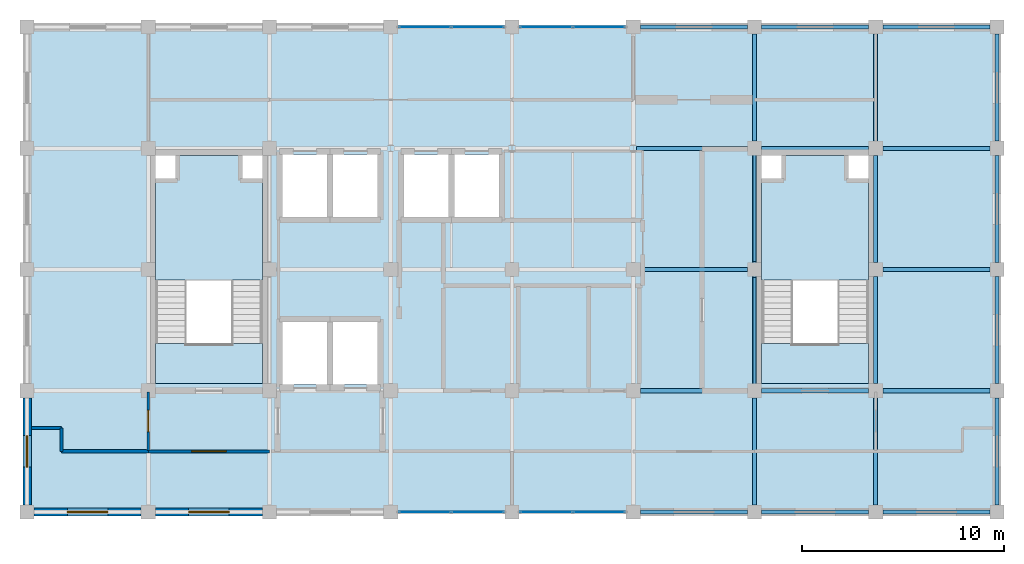
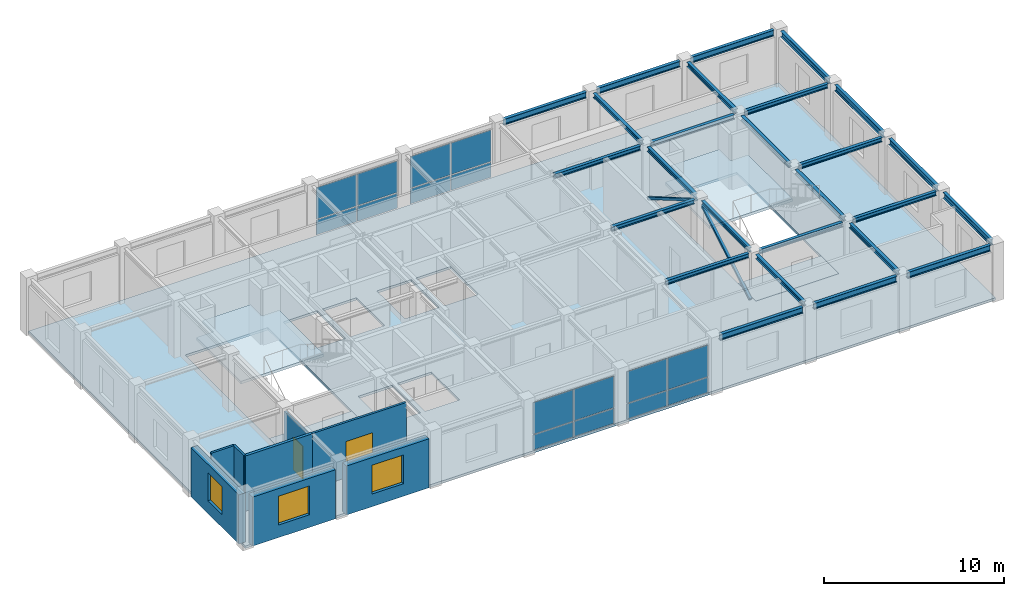
# One storey, part 7 of 11: 26 beams, 16 plates, 8 walls, 5 slabs, 3 windows, 2 doors, 2 members, 5 openings, 6 elements without a shape of their own.
"""IFC4 building model written with IfcOpenShell, lengths in metres."""

from ifc_helpers import new_model, si_unit, direction, frame, frame_2d, origin, origin_2d, place, context, subcontext, project, spatial, polyline, rectangle, hollow_rectangle, i_section, outline, extrude, material, layer, layer_set, material_profile, profile_set, type_object, element, fill, aggregate, save


model = new_model("IFC4")

# Units and contexts
model_context = context("Model", 3, precision=1e-05, world=origin(), true_north=direction((0.0, 1.0)))
body_context = subcontext(model_context, "Body", "Model", "MODEL_VIEW")
ifc_project = project(units=[si_unit("LENGTHUNIT", "METRE"), si_unit("AREAUNIT", "SQUARE_METRE"), si_unit("VOLUMEUNIT", "CUBIC_METRE"), si_unit("PLANEANGLEUNIT", "RADIAN"), si_unit("MASSUNIT", "GRAM", prefix="KILO")], contexts=[model_context])

# Site, building, storey
site_placement = place(None, origin())
site = spatial("IfcSite", under=ifc_project, at=site_placement, CompositionType="ELEMENT")
building_placement = place(site_placement, origin())
building = spatial("IfcBuilding", under=site, at=building_placement, Name="Zlatovratsky Civic Hall", CompositionType="ELEMENT")
storey_placement = place(building_placement, frame((0.0, 0.0, 56.10009765625)))
storey = spatial("IfcBuildingStorey", under=building, at=storey_placement, Name="L14", CompositionType="ELEMENT", Elevation=56.10009765625)

# Beams
ifc_material_1 = material(Name="Steel S355", Category="steel")
ifc_material_profile_1 = material_profile(ifc_material_1, i_section(OverallWidth=0.199951171875, OverallDepth=0.39990234375, WebThickness=0.008056640625, FlangeThickness=0.012939453125, FilletRadius=0.014892578125, at=origin_2d()), Name="40B2")
ifc_profile_set_1 = profile_set([ifc_material_profile_1], Name="Steel S355")
beam_type_1 = type_object("IfcBeamType", Name="Beam_Spandrel_40B2", PredefinedType="SPANDREL", material=ifc_profile_set_1)
for number, where, z_axis, x_axis, name in (
    (1, (90.35009765625, 78.0, 3.539794921875), (1.0, 0.0, 0.0), (0.0, 1.0, 0.0), "BM-4970"),
    (2, (96.35009765625, 78.0, 3.539794921875), (1.0, 0.0, 0.0), (0.0, 1.0, 0.0), "BM-4971"),
    (3, (102.35009765625, 78.0, 3.539794921875), (1.0, 0.0, 0.0), (0.0, 1.0, 0.0), "BM-4972"),
    (4, (90.35009765625, 102.0, 3.539794921875), (1.0, 0.0, 0.0), (0.0, 1.0, 0.0), "BM-5000"),
    (5, (96.35009765625, 102.0, 3.539794921875), (1.0, 0.0, 0.0), (0.0, 1.0, 0.0), "BM-5001"),
    (6, (102.35009765625, 102.0, 3.539794921875), (1.0, 0.0, 0.0), (0.0, 1.0, 0.0), "BM-5002"),
    (7, (108.0, 78.35009765625, 3.539794921875), (0.0, 1.0, 0.0), (-1.0, 0.0, 0.0), "BM-5035"),
    (8, (108.0, 84.35009765625, 3.539794921875), (0.0, 1.0, 0.0), (-1.0, 0.0, 0.0), "BM-5036"),
    (9, (108.0, 90.35009765625, 3.539794921875), (0.0, 1.0, 0.0), (-1.0, 0.0, 0.0), "BM-5037"),
    (10, (108.0, 96.35009765625, 3.539794921875), (0.0, 1.0, 0.0), (-1.0, 0.0, 0.0), "BM-5038"),
):
    element("IfcBeam", number, at=place(storey_placement, frame(where, z_axis=z_axis, x_axis=x_axis)), inside=storey, type_object=beam_type_1, Name=name, PredefinedType="SPANDREL", context=body_context, shape_type="SweptSolid", body=[
        extrude(i_section(OverallWidth=0.199951171875, OverallDepth=0.39990234375, WebThickness=0.008056640625, FlangeThickness=0.012939453125, FilletRadius=0.014892578125, at=origin_2d()), origin(), (0.0, 0.0, 1.0), 5.2998046875),
    ])
ifc_material_profile_2 = material_profile(ifc_material_1, i_section(OverallWidth=0.199951171875, OverallDepth=0.291015625, WebThickness=0.008056640625, FlangeThickness=0.010986328125, FilletRadius=0.01806640625, at=origin_2d()), Name="30Sh1")
ifc_profile_set_2 = profile_set([ifc_material_profile_2], Name="Steel S355")
beam_type_2 = type_object("IfcBeamType", Name="Beam_TowerHigh_30Sh1", PredefinedType="BEAM", material=ifc_profile_set_2)
for number, where, z_axis, x_axis, name in (
    (11, (90.35009765625, 84.0, 3.594482421875), (1.0, 0.0, 0.0), (0.0, 1.0, 0.0), "BM-4978"),
    (12, (96.35009765625, 84.0, 3.594482421875), (1.0, 0.0, 0.0), (0.0, 1.0, 0.0), "BM-4979"),
    (13, (102.35009765625, 84.0, 3.594482421875), (1.0, 0.0, 0.0), (0.0, 1.0, 0.0), "BM-4980"),
    (14, (90.35009765625, 90.0, 3.594482421875), (1.0, 0.0, 0.0), (0.0, 1.0, 0.0), "BM-4985"),
    (15, (102.35009765625, 90.0, 3.594482421875), (1.0, 0.0, 0.0), (0.0, 1.0, 0.0), "BM-4986"),
):
    element("IfcBeam", number, at=place(storey_placement, frame(where, z_axis=z_axis, x_axis=x_axis)), inside=storey, type_object=beam_type_2, Name=name, PredefinedType="BEAM", context=body_context, shape_type="SweptSolid", body=[
        extrude(i_section(OverallWidth=0.199951171875, OverallDepth=0.291015625, WebThickness=0.008056640625, FlangeThickness=0.010986328125, FilletRadius=0.01806640625, at=origin_2d()), origin(), (0.0, 0.0, 1.0), 5.2998046875),
    ])
beam_placement = place(storey_placement, frame((90.14990234375, 96.0, 3.594482421875), z_axis=(1.0, 0.0, 0.0), x_axis=(0.0, 1.0, 0.0)))
element("IfcBeam", 16, at=beam_placement, inside=storey, type_object=beam_type_2, Name="BM-4992", PredefinedType="BEAM", context=body_context, shape_type="SweptSolid", body=[
    extrude(i_section(OverallWidth=0.199951171875, OverallDepth=0.291015625, WebThickness=0.008056640625, FlangeThickness=0.010986328125, FilletRadius=0.01806640625, at=origin_2d()), origin(), (0.0, 0.0, 1.0), 5.5),
])
for number, where, z_axis, x_axis, name in (
    (17, (96.35009765625, 96.0, 3.594482421875), (1.0, 0.0, 0.0), (0.0, 1.0, 0.0), "BM-4993"),
    (18, (102.35009765625, 96.0, 3.594482421875), (1.0, 0.0, 0.0), (0.0, 1.0, 0.0), "BM-4994"),
    (19, (96.0, 78.35009765625, 3.594482421875), (0.0, 1.0, 0.0), (-1.0, 0.0, 0.0), "BM-5027"),
    (20, (96.0, 84.35009765625, 3.594482421875), (0.0, 1.0, 0.0), (-1.0, 0.0, 0.0), "BM-5028"),
    (21, (96.0, 90.35009765625, 3.594482421875), (0.0, 1.0, 0.0), (-1.0, 0.0, 0.0), "BM-5029"),
    (22, (96.0, 96.35009765625, 3.594482421875), (0.0, 1.0, 0.0), (-1.0, 0.0, 0.0), "BM-5030"),
    (23, (102.0, 78.35009765625, 3.594482421875), (0.0, 1.0, 0.0), (-1.0, 0.0, 0.0), "BM-5031"),
    (24, (102.0, 84.35009765625, 3.594482421875), (0.0, 1.0, 0.0), (-1.0, 0.0, 0.0), "BM-5032"),
    (25, (102.0, 90.35009765625, 3.594482421875), (0.0, 1.0, 0.0), (-1.0, 0.0, 0.0), "BM-5033"),
    (26, (102.0, 96.35009765625, 3.594482421875), (0.0, 1.0, 0.0), (-1.0, 0.0, 0.0), "BM-5034"),
):
    element("IfcBeam", number, at=place(storey_placement, frame(where, z_axis=z_axis, x_axis=x_axis)), inside=storey, type_object=beam_type_2, Name=name, PredefinedType="BEAM", context=body_context, shape_type="SweptSolid", body=[
        extrude(i_section(OverallWidth=0.199951171875, OverallDepth=0.291015625, WebThickness=0.008056640625, FlangeThickness=0.010986328125, FilletRadius=0.01806640625, at=origin_2d()), origin(), (0.0, 0.0, 1.0), 5.2998046875),
    ])

# Members
ifc_material_profile_3 = material_profile(ifc_material_1, hollow_rectangle(XDim=0.159912109375, YDim=0.159912109375, WallThickness=0.008056640625, at=origin_2d()), Name="SHS 160x160x8")
ifc_profile_set_3 = profile_set([ifc_material_profile_3], Name="Steel S355")
member_type = type_object("IfcMemberType", Name="Brace_TowerHigh_SHS160", PredefinedType="BRACE", material=ifc_profile_set_3)
for number, where, z_axis, x_axis, name in (
    (27, (96.0, 84.35009765625, 0.25), (0.0, 0.863189891905, 0.504879401949), (-1.0, 0.0, 0.0), "MB-0162"),
    (28, (96.0, 90.35009765625, 3.349853515625), (0.0, 0.863189891905, -0.504879401949), (-1.0, 0.0, 0.0), "MB-0163"),
):
    element("IfcMember", number, at=place(storey_placement, frame(where, z_axis=z_axis, x_axis=x_axis)), inside=storey, type_object=member_type, Name=name, PredefinedType="BRACE", context=body_context, shape_type="SweptSolid", body=[
        extrude(hollow_rectangle(XDim=0.159912109375, YDim=0.159912109375, WallThickness=0.008056640625, at=origin_2d()), origin(), (0.0, 0.0, 1.0), 6.139892578125),
    ])

# Curtain wall, plates
ifc_material_2 = material(Name="Anodised bronze aluminium", Category="aluminium")
ifc_layer_1 = layer(ifc_material_2, 0.159912109375)
ifc_layer_set_1 = layer_set([ifc_layer_1], Name="Anodised bronze aluminium")
curtain_wall_type = type_object("IfcCurtainWallType", Name="CurtainWall_Bronze_5300x3320_21", PredefinedType="NOTDEFINED", material=ifc_layer_set_1)
curtain_wall_1_placement = place(storey_placement, origin())
curtain_wall_1 = element("IfcCurtainWall", 29, at=curtain_wall_1_placement, inside=storey, type_object=curtain_wall_type, Name="CW-165", PredefinedType="NOTDEFINED")
ifc_material_3 = material(Name="Solar-control triple glazing", Category="glass")
ifc_layer_2 = layer(ifc_material_3, 0.028076171875)
ifc_layer_set_2 = layer_set([ifc_layer_2], Name="Solar-control triple glazing")
plate_type = type_object("IfcPlateType", Name="Panel_TowerTripleGlazing_28", PredefinedType="CURTAIN_PANEL", material=ifc_layer_set_2)
plate_1_placement = place(storey_placement, frame((79.68994140625, 78.0, 0.06005859375), z_axis=(0.0, 0.0, 1.0), x_axis=(1.0, 0.0, 0.0)))
plate_1 = element("IfcPlate", 30, at=plate_1_placement, type_object=plate_type, Name="CW-21 panel 1.1", PredefinedType="CURTAIN_PANEL", context=body_context, shape_type="SweptSolid", body=[
    extrude(rectangle(XDim=2.56005859375, YDim=0.028076171875, at=origin_2d()), origin(), (0.0, 0.0, 1.0), 1.010009765625),
])
plate_2_placement = place(storey_placement, frame((79.68994140625, 78.0, 1.1298828125), z_axis=(0.0, 0.0, 1.0), x_axis=(1.0, 0.0, 0.0)))
plate_2 = element("IfcPlate", 31, at=plate_2_placement, type_object=plate_type, Name="CW-21 panel 1.2", PredefinedType="CURTAIN_PANEL", context=body_context, shape_type="SweptSolid", body=[
    extrude(rectangle(XDim=2.56005859375, YDim=0.028076171875, at=origin_2d()), origin(), (0.0, 0.0, 1.0), 2.1298828125),
])
plate_3_placement = place(storey_placement, frame((82.31005859375, 78.0, 0.06005859375), z_axis=(0.0, 0.0, 1.0), x_axis=(1.0, 0.0, 0.0)))
plate_3 = element("IfcPlate", 32, at=plate_3_placement, type_object=plate_type, Name="CW-21 panel 2.1", PredefinedType="CURTAIN_PANEL", context=body_context, shape_type="SweptSolid", body=[
    extrude(rectangle(XDim=2.56005859375, YDim=0.028076171875, at=origin_2d()), origin(), (0.0, 0.0, 1.0), 1.010009765625),
])
plate_4_placement = place(storey_placement, frame((82.31005859375, 78.0, 1.1298828125), z_axis=(0.0, 0.0, 1.0), x_axis=(1.0, 0.0, 0.0)))
plate_4 = element("IfcPlate", 33, at=plate_4_placement, type_object=plate_type, Name="CW-21 panel 2.2", PredefinedType="CURTAIN_PANEL", context=body_context, shape_type="SweptSolid", body=[
    extrude(rectangle(XDim=2.56005859375, YDim=0.028076171875, at=origin_2d()), origin(), (0.0, 0.0, 1.0), 2.1298828125),
])
aggregate(curtain_wall_1, [plate_1, plate_2, plate_3, plate_4])

curtain_wall_2_placement = place(storey_placement, origin())
curtain_wall_2 = element("IfcCurtainWall", 34, at=curtain_wall_2_placement, inside=storey, type_object=curtain_wall_type, Name="CW-166", PredefinedType="NOTDEFINED")
plate_5_placement = place(storey_placement, frame((85.68994140625, 78.0, 0.06005859375), z_axis=(0.0, 0.0, 1.0), x_axis=(1.0, 0.0, 0.0)))
plate_5 = element("IfcPlate", 35, at=plate_5_placement, type_object=plate_type, Name="CW-21 panel 1.1", PredefinedType="CURTAIN_PANEL", context=body_context, shape_type="SweptSolid", body=[
    extrude(rectangle(XDim=2.56005859375, YDim=0.028076171875, at=origin_2d()), origin(), (0.0, 0.0, 1.0), 1.010009765625),
])
plate_6_placement = place(storey_placement, frame((85.68994140625, 78.0, 1.1298828125), z_axis=(0.0, 0.0, 1.0), x_axis=(1.0, 0.0, 0.0)))
plate_6 = element("IfcPlate", 36, at=plate_6_placement, type_object=plate_type, Name="CW-21 panel 1.2", PredefinedType="CURTAIN_PANEL", context=body_context, shape_type="SweptSolid", body=[
    extrude(rectangle(XDim=2.56005859375, YDim=0.028076171875, at=origin_2d()), origin(), (0.0, 0.0, 1.0), 2.1298828125),
])
plate_7_placement = place(storey_placement, frame((88.31005859375, 78.0, 0.06005859375), z_axis=(0.0, 0.0, 1.0), x_axis=(1.0, 0.0, 0.0)))
plate_7 = element("IfcPlate", 37, at=plate_7_placement, type_object=plate_type, Name="CW-21 panel 2.1", PredefinedType="CURTAIN_PANEL", context=body_context, shape_type="SweptSolid", body=[
    extrude(rectangle(XDim=2.56005859375, YDim=0.028076171875, at=origin_2d()), origin(), (0.0, 0.0, 1.0), 1.010009765625),
])
plate_8_placement = place(storey_placement, frame((88.31005859375, 78.0, 1.1298828125), z_axis=(0.0, 0.0, 1.0), x_axis=(1.0, 0.0, 0.0)))
plate_8 = element("IfcPlate", 38, at=plate_8_placement, type_object=plate_type, Name="CW-21 panel 2.2", PredefinedType="CURTAIN_PANEL", context=body_context, shape_type="SweptSolid", body=[
    extrude(rectangle(XDim=2.56005859375, YDim=0.028076171875, at=origin_2d()), origin(), (0.0, 0.0, 1.0), 2.1298828125),
])
aggregate(curtain_wall_2, [plate_5, plate_6, plate_7, plate_8])

curtain_wall_3_placement = place(storey_placement, origin())
curtain_wall_3 = element("IfcCurtainWall", 39, at=curtain_wall_3_placement, inside=storey, type_object=curtain_wall_type, Name="CW-167", PredefinedType="NOTDEFINED")
plate_9_placement = place(storey_placement, frame((79.68994140625, 102.0, 0.06005859375), z_axis=(0.0, 0.0, 1.0), x_axis=(1.0, 0.0, 0.0)))
plate_9 = element("IfcPlate", 40, at=plate_9_placement, type_object=plate_type, Name="CW-21 panel 1.1", PredefinedType="CURTAIN_PANEL", context=body_context, shape_type="SweptSolid", body=[
    extrude(rectangle(XDim=2.56005859375, YDim=0.028076171875, at=origin_2d()), origin(), (0.0, 0.0, 1.0), 1.010009765625),
])
plate_10_placement = place(storey_placement, frame((79.68994140625, 102.0, 1.1298828125), z_axis=(0.0, 0.0, 1.0), x_axis=(1.0, 0.0, 0.0)))
plate_10 = element("IfcPlate", 41, at=plate_10_placement, type_object=plate_type, Name="CW-21 panel 1.2", PredefinedType="CURTAIN_PANEL", context=body_context, shape_type="SweptSolid", body=[
    extrude(rectangle(XDim=2.56005859375, YDim=0.028076171875, at=origin_2d()), origin(), (0.0, 0.0, 1.0), 2.1298828125),
])
plate_11_placement = place(storey_placement, frame((82.31005859375, 102.0, 0.06005859375), z_axis=(0.0, 0.0, 1.0), x_axis=(1.0, 0.0, 0.0)))
plate_11 = element("IfcPlate", 42, at=plate_11_placement, type_object=plate_type, Name="CW-21 panel 2.1", PredefinedType="CURTAIN_PANEL", context=body_context, shape_type="SweptSolid", body=[
    extrude(rectangle(XDim=2.56005859375, YDim=0.028076171875, at=origin_2d()), origin(), (0.0, 0.0, 1.0), 1.010009765625),
])
plate_12_placement = place(storey_placement, frame((82.31005859375, 102.0, 1.1298828125), z_axis=(0.0, 0.0, 1.0), x_axis=(1.0, 0.0, 0.0)))
plate_12 = element("IfcPlate", 43, at=plate_12_placement, type_object=plate_type, Name="CW-21 panel 2.2", PredefinedType="CURTAIN_PANEL", context=body_context, shape_type="SweptSolid", body=[
    extrude(rectangle(XDim=2.56005859375, YDim=0.028076171875, at=origin_2d()), origin(), (0.0, 0.0, 1.0), 2.1298828125),
])
aggregate(curtain_wall_3, [plate_9, plate_10, plate_11, plate_12])

curtain_wall_4_placement = place(storey_placement, origin())
curtain_wall_4 = element("IfcCurtainWall", 44, at=curtain_wall_4_placement, inside=storey, type_object=curtain_wall_type, Name="CW-168", PredefinedType="NOTDEFINED")
plate_13_placement = place(storey_placement, frame((85.68994140625, 102.0, 0.06005859375), z_axis=(0.0, 0.0, 1.0), x_axis=(1.0, 0.0, 0.0)))
plate_13 = element("IfcPlate", 45, at=plate_13_placement, type_object=plate_type, Name="CW-21 panel 1.1", PredefinedType="CURTAIN_PANEL", context=body_context, shape_type="SweptSolid", body=[
    extrude(rectangle(XDim=2.56005859375, YDim=0.028076171875, at=origin_2d()), origin(), (0.0, 0.0, 1.0), 1.010009765625),
])
plate_14_placement = place(storey_placement, frame((85.68994140625, 102.0, 1.1298828125), z_axis=(0.0, 0.0, 1.0), x_axis=(1.0, 0.0, 0.0)))
plate_14 = element("IfcPlate", 46, at=plate_14_placement, type_object=plate_type, Name="CW-21 panel 1.2", PredefinedType="CURTAIN_PANEL", context=body_context, shape_type="SweptSolid", body=[
    extrude(rectangle(XDim=2.56005859375, YDim=0.028076171875, at=origin_2d()), origin(), (0.0, 0.0, 1.0), 2.1298828125),
])
plate_15_placement = place(storey_placement, frame((88.31005859375, 102.0, 0.06005859375), z_axis=(0.0, 0.0, 1.0), x_axis=(1.0, 0.0, 0.0)))
plate_15 = element("IfcPlate", 47, at=plate_15_placement, type_object=plate_type, Name="CW-21 panel 2.1", PredefinedType="CURTAIN_PANEL", context=body_context, shape_type="SweptSolid", body=[
    extrude(rectangle(XDim=2.56005859375, YDim=0.028076171875, at=origin_2d()), origin(), (0.0, 0.0, 1.0), 1.010009765625),
])
plate_16_placement = place(storey_placement, frame((88.31005859375, 102.0, 1.1298828125), z_axis=(0.0, 0.0, 1.0), x_axis=(1.0, 0.0, 0.0)))
plate_16 = element("IfcPlate", 48, at=plate_16_placement, type_object=plate_type, Name="CW-21 panel 2.2", PredefinedType="CURTAIN_PANEL", context=body_context, shape_type="SweptSolid", body=[
    extrude(rectangle(XDim=2.56005859375, YDim=0.028076171875, at=origin_2d()), origin(), (0.0, 0.0, 1.0), 2.1298828125),
])
aggregate(curtain_wall_4, [plate_13, plate_14, plate_15, plate_16])

# Slabs
ifc_material_4 = material(Name="Concrete C30/37 (B35)", Category="concrete")
ifc_layer_3 = layer(ifc_material_4, 0.239990234375)
ifc_layer_set_3 = layer_set([ifc_layer_3], Name="Concrete C30/37 (B35)")
slab_type_1 = type_object("IfcSlabType", Name="Slab_CivicPodiumFloor_240", PredefinedType="FLOOR", material=ifc_layer_set_3)
slab_1_placement = place(storey_placement, frame((0.0, 0.0, -0.239990234375)))
element("IfcSlab", 49, at=slab_1_placement, inside=storey, type_object=slab_type_1, Name="SL-078", PredefinedType="FLOOR", context=body_context, shape_type="SweptSolid", body=[
    extrude(outline(polyline([(66.35009765625, 84.35009765625), (71.64990234375, 84.35009765625), (71.64990234375, 86.35009765625), (66.35009765625, 86.35009765625), (66.35009765625, 84.35009765625)])), origin(), (0.0, 0.0, 1.0), 0.239990234375),
])
slab_2_placement = place(storey_placement, frame((0.0, 0.0, -0.239990234375)))
element("IfcSlab", 50, at=slab_2_placement, inside=storey, type_object=slab_type_1, Name="SL-079", PredefinedType="FLOOR", context=body_context, shape_type="SweptSolid", body=[
    extrude(outline(polyline([(96.35009765625, 84.35009765625), (101.64990234375, 84.35009765625), (101.64990234375, 86.35009765625), (96.35009765625, 86.35009765625), (96.35009765625, 84.35009765625)])), origin(), (0.0, 0.0, 1.0), 0.239990234375),
])

# Stair, slab
stair_type = type_object("IfcStairType", Name="Stair_HALF_24R_1550W_04", PredefinedType="HALF_TURN_STAIR", material=ifc_material_4)
stair_1_placement = place(storey_placement, origin())
stair_1 = element("IfcStair", 51, at=stair_1_placement, inside=storey, type_object=stair_type, Name="ST-015", PredefinedType="HALF_TURN_STAIR")
ifc_layer_4 = layer(ifc_material_4, 0.179931640625)
ifc_layer_set_4 = layer_set([ifc_layer_4], Name="Concrete C30/37 (B35)")
slab_type_2 = type_object("IfcSlabType", Name="Slab_StairLanding_180", PredefinedType="LANDING", material=ifc_layer_set_4)
slab_3_placement = place(storey_placement, frame((0.0, 0.0, 1.77001953125)))
slab_3 = element("IfcSlab", 52, at=slab_3_placement, type_object=slab_type_2, Name="SL-LD-15", PredefinedType="LANDING", context=body_context, shape_type="SweptSolid", body=[
    extrude(outline(polyline([(66.35009765625, 89.485107421875), (71.64990234375, 89.485107421875), (71.64990234375, 94.39990234375), (70.550048828125, 94.39990234375), (70.550048828125, 95.64990234375), (67.449951171875, 95.64990234375), (67.449951171875, 94.39990234375), (66.35009765625, 94.39990234375), (66.35009765625, 89.485107421875)])), origin(), (0.0, 0.0, 1.0), 0.179931640625),
])
aggregate(stair_1, [slab_3])

stair_2_placement = place(storey_placement, origin())
stair_2 = element("IfcStair", 53, at=stair_2_placement, inside=storey, type_object=stair_type, Name="ST-034", PredefinedType="HALF_TURN_STAIR")
slab_4_placement = place(storey_placement, frame((0.0, 0.0, 1.77001953125)))
slab_4 = element("IfcSlab", 54, at=slab_4_placement, type_object=slab_type_2, Name="SL-LD-34", PredefinedType="LANDING", context=body_context, shape_type="SweptSolid", body=[
    extrude(outline(polyline([(96.35009765625, 89.485107421875), (101.64990234375, 89.485107421875), (101.64990234375, 94.39990234375), (100.550048828125, 94.39990234375), (100.550048828125, 95.64990234375), (97.449951171875, 95.64990234375), (97.449951171875, 94.39990234375), (96.35009765625, 94.39990234375), (96.35009765625, 89.485107421875)])), origin(), (0.0, 0.0, 1.0), 0.179931640625),
])
aggregate(stair_2, [slab_4])

# Slab
ifc_layer_5 = layer(ifc_material_4, 0.159912109375)
ifc_layer_set_5 = layer_set([ifc_layer_5], Name="Concrete C30/37 (B35)")
slab_type_3 = type_object("IfcSlabType", Name="Slab_TowerCompositeFloor_160", PredefinedType="FLOOR", material=ifc_layer_set_5)
slab_5_placement = place(storey_placement, frame((0.0, 0.0, -0.16015625)))
element("IfcSlab", 55, at=slab_5_placement, inside=storey, type_object=slab_type_3, Name="SL-077", PredefinedType="FLOOR", context=body_context, shape_type="SweptSolid", body=[
    extrude(outline(polyline([(60.0, 78.0), (108.0, 78.0), (108.0, 102.0), (60.0, 102.0), (60.0, 78.0)]), holes=[polyline([(66.35009765625, 84.35009765625), (71.64990234375, 84.35009765625), (71.64990234375, 95.64990234375), (66.35009765625, 95.64990234375), (66.35009765625, 84.35009765625)]), polyline([(96.35009765625, 84.35009765625), (101.64990234375, 84.35009765625), (101.64990234375, 95.64990234375), (96.35009765625, 95.64990234375), (96.35009765625, 84.35009765625)]), polyline([(72.64990234375, 84.300048828125), (74.85009765625, 84.300048828125), (74.85009765625, 87.39990234375), (72.64990234375, 87.39990234375), (72.64990234375, 84.300048828125)]), polyline([(75.14990234375, 84.300048828125), (77.35009765625, 84.300048828125), (77.35009765625, 87.39990234375), (75.14990234375, 87.39990234375), (75.14990234375, 84.300048828125)]), polyline([(72.64990234375, 92.60009765625), (74.85009765625, 92.60009765625), (74.85009765625, 95.699951171875), (72.64990234375, 95.699951171875), (72.64990234375, 92.60009765625)]), polyline([(75.14990234375, 92.60009765625), (77.35009765625, 92.60009765625), (77.35009765625, 95.699951171875), (75.14990234375, 95.699951171875), (75.14990234375, 92.60009765625)]), polyline([(78.64990234375, 92.60009765625), (80.85009765625, 92.60009765625), (80.85009765625, 95.699951171875), (78.64990234375, 95.699951171875), (78.64990234375, 92.60009765625)]), polyline([(81.14990234375, 92.60009765625), (83.35009765625, 92.60009765625), (83.35009765625, 95.699951171875), (81.14990234375, 95.699951171875), (81.14990234375, 92.60009765625)])]), origin(), (0.0, 0.0, 1.0), 0.16015625),
])

# Wall
ifc_material_5 = material(Name="Acoustic ceramic blockwork", Category="masonry")
ifc_layer_6 = layer(ifc_material_5, 0.179931640625)
ifc_layer_set_6 = layer_set([ifc_layer_6], Name="Acoustic ceramic blockwork")
wall_type_1 = type_object("IfcWallType", Name="Wall_AcousticChamberPartition_180", PredefinedType="PARTITIONING", material=ifc_layer_set_6)
wall_1_placement = place(storey_placement, frame((61.699951171875, 81.0, 0.0), z_axis=(0.0, 0.0, 1.0), x_axis=(1.0, 0.0, 0.0)))
element("IfcWall", 56, at=wall_1_placement, inside=storey, type_object=wall_type_1, Name="WL-6674", PredefinedType="PARTITIONING", context=body_context, shape_type="SweptSolid", body=[
    extrude(rectangle(XDim=4.300048828125, YDim=0.179931640625, at=frame_2d((2.14990234375, 0.0))), origin(), (0.0, 0.0, 1.0), 3.739990234375),
])

# Wall, opening, door
ifc_material_6 = material(Name="Fire-rated gypsum board framing", Category="gypsum")
ifc_layer_7 = layer(ifc_material_6, 0.139892578125)
ifc_layer_set_7 = layer_set([ifc_layer_7], Name="Fire-rated gypsum board framing")
wall_type_2 = type_object("IfcWallType", Name="Wall_OfficePartition_140", PredefinedType="PARTITIONING", material=ifc_layer_set_7)
wall_2_placement = place(storey_placement, frame((66.0, 81.0, 0.0), z_axis=(0.0, 0.0, 1.0), x_axis=(1.0, 0.0, 0.0)))
wall_2 = element("IfcWall", 57, at=wall_2_placement, inside=storey, type_object=wall_type_2, Name="WL-6658", PredefinedType="PARTITIONING", context=body_context, shape_type="SweptSolid", body=[
    extrude(rectangle(XDim=6.0, YDim=0.139892578125, at=frame_2d((3.0, 0.0))), origin(), (0.0, 0.0, 1.0), 3.739990234375),
])
opening_1_placement = place(wall_2_placement, frame((2.14990234375, 0.0, 0.0)))
opening_1 = element("IfcOpeningElement", 58, at=opening_1_placement, cuts=wall_2, Name="Opening D-26", PredefinedType="OPENING", context=body_context, shape_type="SweptSolid", body=[
    extrude(rectangle(XDim=1.699951171875, YDim=2.449951171875, at=frame_2d((0.85009765625, 1.22509765625))), frame((0.0, 0.0849609375, 0.0), z_axis=(0.0, -1.0, 0.0), x_axis=(1.0, 0.0, 0.0)), (0.0, 0.0, 1.0), 0.169677734375),
])
ifc_material_7 = material(Name="Solid oak joinery in steel frame", Category="steel")
door_type_1 = type_object("IfcDoorType", Name="Door_CommissionBoardroom_1700x2450", OperationType="DOUBLE_DOOR_SINGLE_SWING", PredefinedType="DOOR", material=ifc_material_7)
door_1_placement = place(opening_1_placement, origin())
door_1 = element("IfcDoor", 59, at=door_1_placement, inside=storey, type_object=door_type_1, Name="DR-5507", OperationType="DOUBLE_DOOR_SINGLE_SWING", OverallHeight=2.449951171875, OverallWidth=1.699951171875, PredefinedType="DOOR", context=body_context, shape_type="SweptSolid", body=[
    extrude(rectangle(XDim=1.699951171875, YDim=2.449951171875, at=frame_2d((0.85009765625, 1.22509765625))), frame((0.0, 0.02490234375, 0.0), z_axis=(0.0, -1.0, 0.0), x_axis=(1.0, 0.0, 0.0)), (0.0, 0.0, 1.0), 0.050048828125),
])
fill(opening_1, door_1)

wall_3_placement = place(storey_placement, frame((66.0, 81.050048828125, 0.0), z_axis=(0.0, 0.0, 1.0), x_axis=(0.0, 1.0, 0.0)))
wall_3 = element("IfcWall", 60, at=wall_3_placement, inside=storey, type_object=wall_type_2, Name="WL-6660", PredefinedType="PARTITIONING", context=body_context, shape_type="SweptSolid", body=[
    extrude(rectangle(XDim=2.89990234375, YDim=0.139892578125, at=frame_2d((1.449951171875, 0.0))), origin(), (0.0, 0.0, 1.0), 3.448974609375),
])
opening_2_placement = place(wall_3_placement, frame((0.925048828125, 0.0, 0.0)))
opening_2 = element("IfcOpeningElement", 61, at=opening_2_placement, cuts=wall_3, Name="Opening D-24", PredefinedType="OPENING", context=body_context, shape_type="SweptSolid", body=[
    extrude(rectangle(XDim=1.050048828125, YDim=2.25, at=frame_2d((0.52490234375, 1.125))), frame((0.0, 0.0849609375, 0.0), z_axis=(0.0, -1.0, 0.0), x_axis=(1.0, 0.0, 0.0)), (0.0, 0.0, 1.0), 0.169677734375),
])
door_type_2 = type_object("IfcDoorType", Name="Door_DirectorateOffice_1050x2250", OperationType="NOTDEFINED", PredefinedType="DOOR", material=ifc_material_7)
door_2_placement = place(opening_2_placement, origin())
door_2 = element("IfcDoor", 62, at=door_2_placement, inside=storey, type_object=door_type_2, Name="DR-5509", OperationType="SINGLE_SWING_RIGHT", OverallHeight=2.25, OverallWidth=1.050048828125, PredefinedType="DOOR", context=body_context, shape_type="SweptSolid", body=[
    extrude(rectangle(XDim=1.050048828125, YDim=2.25, at=frame_2d((0.52490234375, 1.125))), frame((0.0, 0.02490234375, 0.0), z_axis=(0.0, -1.0, 0.0), x_axis=(1.0, 0.0, 0.0)), (0.0, 0.0, 1.0), 0.050048828125),
])
fill(opening_2, door_2)

# Walls
wall_4_placement = place(storey_placement, frame((61.699951171875, 81.0, 0.0), z_axis=(0.0, 0.0, 1.0), x_axis=(0.0, 1.0, 0.0)))
element("IfcWall", 63, at=wall_4_placement, inside=storey, type_object=wall_type_2, Name="WL-6677", PredefinedType="PARTITIONING", context=body_context, shape_type="SweptSolid", body=[
    extrude(rectangle(XDim=1.14990234375, YDim=0.139892578125, at=frame_2d((0.574951171875, 0.0))), origin(), (0.0, 0.0, 1.0), 3.739990234375),
])
wall_5_placement = place(storey_placement, frame((61.699951171875, 82.14990234375, 0.0), z_axis=(0.0, 0.0, 1.0), x_axis=(-1.0, 0.0, 0.0)))
element("IfcWall", 64, at=wall_5_placement, inside=storey, type_object=wall_type_2, Name="WL-6678", PredefinedType="PARTITIONING", context=body_context, shape_type="SweptSolid", body=[
    extrude(rectangle(XDim=1.489990234375, YDim=0.139892578125, at=frame_2d((0.7451171875, 0.0))), origin(), (0.0, 0.0, 1.0), 3.739990234375),
])

# Wall, opening, window
ifc_layer_8 = layer(ifc_material_5, 0.280029296875, Name="Backing")
ifc_material_8 = material(Name="Podolsk limestone ashlar", Category="masonry")
ifc_layer_9 = layer(ifc_material_8, 0.139892578125, Name="Finish")
ifc_layer_set_8 = layer_set([ifc_layer_8, ifc_layer_9], Name="Acoustic ceramic blockwork")
wall_type_3 = type_object("IfcWallType", Name="Wall_TowerLimestoneAshlar_420", PredefinedType="SOLIDWALL", material=ifc_layer_set_8)
wall_6_placement = place(storey_placement, frame((60.35009765625, 78.0, 0.0), z_axis=(0.0, 0.0, 1.0), x_axis=(1.0, 0.0, 0.0)))
wall_6 = element("IfcWall", 65, at=wall_6_placement, inside=storey, type_object=wall_type_3, Name="WL-0609", PredefinedType="SOLIDWALL", context=body_context, shape_type="SweptSolid", body=[
    extrude(rectangle(XDim=5.2998046875, YDim=0.419921875, at=frame_2d((2.64990234375, 0.0))), origin(), (0.0, 0.0, 1.0), 3.31982421875),
])
opening_3_placement = place(wall_6_placement, frame((1.64990234375, 0.0, 0.85009765625)))
opening_3 = element("IfcOpeningElement", 66, at=opening_3_placement, cuts=wall_6, Name="Opening WN-20", PredefinedType="OPENING", context=body_context, shape_type="SweptSolid", body=[
    extrude(rectangle(XDim=2.0, YDim=1.949951171875, at=frame_2d((1.0, 0.97509765625))), frame((0.0, 0.224853515625, 0.0), z_axis=(0.0, -1.0, 0.0), x_axis=(1.0, 0.0, 0.0)), (0.0, 0.0, 1.0), 0.44970703125),
])
ifc_material_9 = material(Name="Low-E laminated double glazing", Category="glass")
window_type_1 = type_object("IfcWindowType", Name="Window_TowerTier3South_2000x1950", PartitioningType="SINGLE_PANEL", PredefinedType="WINDOW", material=ifc_material_9)
window_1_placement = place(opening_3_placement, origin())
window_1 = element("IfcWindow", 67, at=window_1_placement, inside=storey, type_object=window_type_1, Name="WN-0481", OverallHeight=1.949951171875, OverallWidth=2.0, PartitioningType="SINGLE_PANEL", PredefinedType="WINDOW", context=body_context, shape_type="SweptSolid", body=[
    extrude(rectangle(XDim=2.0, YDim=1.949951171875, at=frame_2d((1.0, 0.97509765625))), frame((0.0, 0.030029296875, 0.0), z_axis=(0.0, -1.0, 0.0), x_axis=(1.0, 0.0, 0.0)), (0.0, 0.0, 1.0), 0.06005859375),
])
fill(opening_3, window_1)

wall_7_placement = place(storey_placement, frame((66.35009765625, 78.0, 0.0), z_axis=(0.0, 0.0, 1.0), x_axis=(1.0, 0.0, 0.0)))
wall_7 = element("IfcWall", 68, at=wall_7_placement, inside=storey, type_object=wall_type_3, Name="WL-0610", PredefinedType="SOLIDWALL", context=body_context, shape_type="SweptSolid", body=[
    extrude(rectangle(XDim=5.2998046875, YDim=0.419921875, at=frame_2d((2.64990234375, 0.0))), origin(), (0.0, 0.0, 1.0), 3.31982421875),
])
opening_4_placement = place(wall_7_placement, frame((1.64990234375, 0.0, 0.85009765625)))
opening_4 = element("IfcOpeningElement", 69, at=opening_4_placement, cuts=wall_7, Name="Opening WN-20", PredefinedType="OPENING", context=body_context, shape_type="SweptSolid", body=[
    extrude(rectangle(XDim=2.0, YDim=1.949951171875, at=frame_2d((1.0, 0.97509765625))), frame((0.0, 0.224853515625, 0.0), z_axis=(0.0, -1.0, 0.0), x_axis=(1.0, 0.0, 0.0)), (0.0, 0.0, 1.0), 0.44970703125),
])
window_2_placement = place(opening_4_placement, origin())
window_2 = element("IfcWindow", 70, at=window_2_placement, inside=storey, type_object=window_type_1, Name="WN-0482", OverallHeight=1.949951171875, OverallWidth=2.0, PartitioningType="SINGLE_PANEL", PredefinedType="WINDOW", context=body_context, shape_type="SweptSolid", body=[
    extrude(rectangle(XDim=2.0, YDim=1.949951171875, at=frame_2d((1.0, 0.97509765625))), frame((0.0, 0.030029296875, 0.0), z_axis=(0.0, -1.0, 0.0), x_axis=(1.0, 0.0, 0.0)), (0.0, 0.0, 1.0), 0.06005859375),
])
fill(opening_4, window_2)

wall_8_placement = place(storey_placement, frame((60.0, 78.35009765625, 0.0), z_axis=(0.0, 0.0, 1.0), x_axis=(0.0, 1.0, 0.0)))
wall_8 = element("IfcWall", 71, at=wall_8_placement, inside=storey, type_object=wall_type_3, Name="WL-0621", PredefinedType="SOLIDWALL", context=body_context, shape_type="SweptSolid", body=[
    extrude(rectangle(XDim=5.2998046875, YDim=0.419921875, at=frame_2d((2.64990234375, 0.0))), origin(), (0.0, 0.0, 1.0), 3.31982421875),
])
opening_5_placement = place(wall_8_placement, frame((1.875, 0.0, 0.85009765625)))
opening_5 = element("IfcOpeningElement", 72, at=opening_5_placement, cuts=wall_8, Name="Opening WN-22", PredefinedType="OPENING", context=body_context, shape_type="SweptSolid", body=[
    extrude(rectangle(XDim=1.550048828125, YDim=1.89990234375, at=frame_2d((0.77490234375, 0.949951171875))), frame((0.0, 0.224853515625, 0.0), z_axis=(0.0, -1.0, 0.0), x_axis=(1.0, 0.0, 0.0)), (0.0, 0.0, 1.0), 0.44970703125),
])
window_type_2 = type_object("IfcWindowType", Name="Window_TowerTier3Flank_1550x1900", PartitioningType="SINGLE_PANEL", PredefinedType="WINDOW", material=ifc_material_9)
window_3_placement = place(opening_5_placement, origin())
window_3 = element("IfcWindow", 73, at=window_3_placement, inside=storey, type_object=window_type_2, Name="WN-0493", OverallHeight=1.89990234375, OverallWidth=1.550048828125, PartitioningType="SINGLE_PANEL", PredefinedType="WINDOW", context=body_context, shape_type="SweptSolid", body=[
    extrude(rectangle(XDim=1.550048828125, YDim=1.89990234375, at=frame_2d((0.77490234375, 0.949951171875))), frame((0.0, 0.030029296875, 0.0), z_axis=(0.0, -1.0, 0.0), x_axis=(1.0, 0.0, 0.0)), (0.0, 0.0, 1.0), 0.06005859375),
])
fill(opening_5, window_3)

save(model, "model.ifc")
